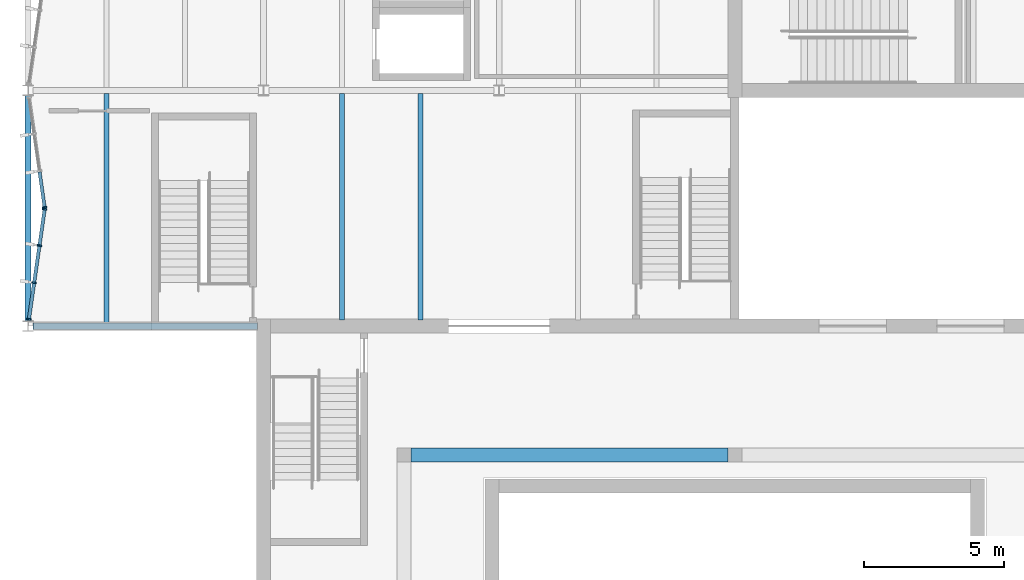
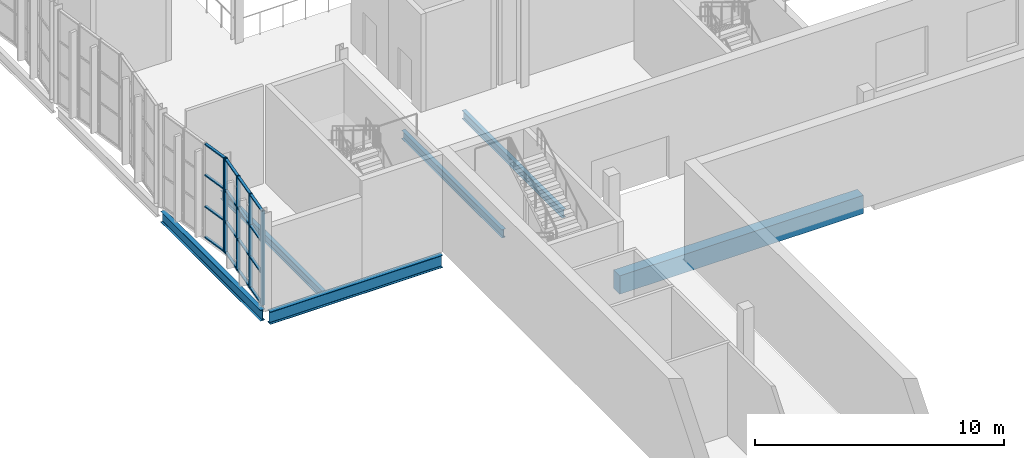
# One storey, part 17 of 127: 21 members, 6 beams, 2 elements without a shape of their own.
"""IFC4 building model written with IfcOpenShell, lengths in metres."""

from ifc_helpers import new_model, si_unit, direction, frame, origin, origin_2d, place, context, subcontext, project, spatial, rectangle, i_section, extrude, material, material_profile, profile_set, type_object, element, aggregate, save


model = new_model("IFC4")

# Units and contexts
model_context = context("Model", 3, precision=1e-05, world=origin(), true_north=direction((0.0, 1.0)))
body_context = subcontext(model_context, "Body", "Model", "MODEL_VIEW")
ifc_project = project(units=[si_unit("LENGTHUNIT", "METRE"), si_unit("AREAUNIT", "SQUARE_METRE"), si_unit("VOLUMEUNIT", "CUBIC_METRE"), si_unit("PLANEANGLEUNIT", "RADIAN"), si_unit("MASSUNIT", "GRAM", prefix="KILO")], contexts=[model_context])

# Site, building, storey
site_placement = place(None, origin())
site = spatial("IfcSite", under=ifc_project, at=site_placement, CompositionType="ELEMENT")
building_placement = place(site_placement, origin())
building = spatial("IfcBuilding", under=site, at=building_placement, Name="Ljudholm Concert House", CompositionType="ELEMENT")
storey_placement = place(building_placement, frame((0.0, 0.0, 5.39990234375)))
storey = spatial("IfcBuildingStorey", under=building, at=storey_placement, Name="L01", CompositionType="ELEMENT", Elevation=5.39990234375)

# Curtain wall, members
ifc_material_1 = material(Name="Aluminium curtain wall with impact-rated laminated glass", Category="aluminium")
curtain_wall_type = type_object("IfcCurtainWallType", Name="CURTAIN WALL 1400", PredefinedType="NOTDEFINED", material=ifc_material_1)
curtain_wall_1_placement = place(storey_placement, origin())
curtain_wall_1 = element("IfcCurtainWall", 1, at=curtain_wall_1_placement, inside=storey, type_object=curtain_wall_type, Name="Facade curtain wall", PredefinedType="NOTDEFINED")
ifc_material_2 = material(Name="Aluminium extrusion", Category="aluminium")
ifc_material_profile_1 = material_profile(ifc_material_2, rectangle(XDim=0.159912109375, YDim=0.06005859375, at=origin_2d()), Name="MULLION 60x160")
ifc_profile_set_1 = profile_set([ifc_material_profile_1], Name="Aluminium extrusion")
member_type_1 = type_object("IfcMemberType", Name="MULLION 60x160", PredefinedType="MULLION", material=ifc_profile_set_1)
member_1_placement = place(storey_placement, frame((4.035400390625, 46.24755859375, 0.0), z_axis=(0.0, 0.0, 1.0), x_axis=(-0.989949493647, 0.141421356338, 0.0)))
member_1 = element("IfcMember", 2, at=member_1_placement, type_object=member_type_1, Name="Mullion", PredefinedType="MULLION", context=body_context, shape_type="SweptSolid", body=[
    extrude(rectangle(XDim=0.159912109375, YDim=0.06005859375, at=origin_2d()), origin(), (0.0, 0.0, 1.0), 4.6201171875),
])
member_2_placement = place(storey_placement, frame((4.220703125, 47.545166015625, 0.0), z_axis=(0.0, 0.0, 1.0), x_axis=(-0.989949493647, 0.141421356338, 0.0)))
member_2 = element("IfcMember", 3, at=member_2_placement, type_object=member_type_1, Name="Mullion", PredefinedType="MULLION", context=body_context, shape_type="SweptSolid", body=[
    extrude(rectangle(XDim=0.159912109375, YDim=0.06005859375, at=origin_2d()), origin(), (0.0, 0.0, 1.0), 4.6201171875),
])
member_3_placement = place(storey_placement, frame((4.410400390625, 48.87255859375, 0.0), z_axis=(0.0, 0.0, 1.0), x_axis=(-0.989949493647, 0.141421356338, 0.0)))
member_3 = element("IfcMember", 4, at=member_3_placement, type_object=member_type_1, Name="Mullion", PredefinedType="MULLION", context=body_context, shape_type="SweptSolid", body=[
    extrude(rectangle(XDim=0.159912109375, YDim=0.06005859375, at=origin_2d()), origin(), (0.0, 0.0, 1.0), 4.6201171875),
])
member_4_placement = place(storey_placement, frame((4.595703125, 50.17041015625, 0.0), z_axis=(0.0, 0.0, 1.0), x_axis=(-0.989949493647, 0.141421356338, 0.0)))
member_4 = element("IfcMember", 5, at=member_4_placement, type_object=member_type_1, Name="Mullion", PredefinedType="MULLION", context=body_context, shape_type="SweptSolid", body=[
    extrude(rectangle(XDim=0.159912109375, YDim=0.06005859375, at=origin_2d()), origin(), (0.0, 0.0, 1.0), 4.6201171875),
])

# Curtain wall, member
curtain_wall_2_placement = place(storey_placement, origin())
curtain_wall_2 = element("IfcCurtainWall", 6, at=curtain_wall_2_placement, inside=storey, type_object=curtain_wall_type, Name="Facade curtain wall", PredefinedType="NOTDEFINED")
member_5_placement = place(storey_placement, frame((4.595703125, 50.229736328125, 0.0), z_axis=(0.0, 0.0, 1.0), x_axis=(-0.989949493647, -0.141421356338, 0.0)))
member_5 = element("IfcMember", 7, at=member_5_placement, type_object=member_type_1, Name="Mullion", PredefinedType="MULLION", context=body_context, shape_type="SweptSolid", body=[
    extrude(rectangle(XDim=0.159912109375, YDim=0.06005859375, at=origin_2d()), origin(), (0.0, 0.0, 1.0), 4.6201171875),
])

# Beams
ifc_material_3 = material(Name="Concrete 6,500 psi", Category="concrete")
ifc_material_profile_2 = material_profile(ifc_material_3, rectangle(XDim=0.5, YDim=0.89990234375, at=origin_2d()), Name="RC BEAM 500x900")
ifc_profile_set_2 = profile_set([ifc_material_profile_2], Name="Concrete 6,500 psi")
beam_type_1 = type_object("IfcBeamType", Name="RC BEAM 500x900", PredefinedType="BEAM", material=ifc_profile_set_2)
beam_1_placement = place(storey_placement, frame((17.64990234375, 41.39990234375, -0.699951171875), z_axis=(1.0, 0.0, 0.0), x_axis=(0.0, 1.0, 0.0)))
element("IfcBeam", 8, at=beam_1_placement, inside=storey, type_object=beam_type_1, Name="Ring beam", PredefinedType="BEAM", context=body_context, shape_type="SweptSolid", body=[
    extrude(rectangle(XDim=0.5, YDim=0.89990234375, at=origin_2d()), origin(), (0.0, 0.0, 1.0), 11.300048828125),
])
ifc_material_4 = material(Name="Steel ASTM A992", Category="steel")
ifc_material_profile_3 = material_profile(ifc_material_4, i_section(OverallWidth=0.177734375, OverallDepth=0.406494140625, WebThickness=0.0078125, FlangeThickness=0.012939453125, FilletRadius=0.01025390625, at=origin_2d()), Name="W16X40")
ifc_profile_set_3 = profile_set([ifc_material_profile_3], Name="Steel ASTM A992")
beam_type_2 = type_object("IfcBeamType", Name="STEEL BEAM W16X40", PredefinedType="BEAM", material=ifc_profile_set_3)
beam_2_placement = place(storey_placement, frame((6.800048828125, 46.114501953125, -0.383056640625), z_axis=(0.0, 1.0, 0.0), x_axis=(-1.0, 0.0, 0.0)))
element("IfcBeam", 9, at=beam_2_placement, inside=storey, type_object=beam_type_2, Name="Secondary beam", PredefinedType="BEAM", context=body_context, shape_type="SweptSolid", body=[
    extrude(i_section(OverallWidth=0.177734375, OverallDepth=0.406494140625, WebThickness=0.0078125, FlangeThickness=0.012939453125, FilletRadius=0.01025390625, at=origin_2d()), origin(), (0.0, 0.0, 1.0), 8.1708984375),
])
for number, where, z_axis, x_axis, name in (
    (10, (15.199951171875, 46.22509765625, -0.383056640625), (0.0, 1.0, 0.0), (-1.0, 0.0, 0.0), "Secondary beam"),
    (11, (18.0, 46.22509765625, -0.383056640625), (0.0, 1.0, 0.0), (-1.0, 0.0, 0.0), "Secondary beam"),
):
    element("IfcBeam", number, at=place(storey_placement, frame(where, z_axis=z_axis, x_axis=x_axis)), inside=storey, type_object=beam_type_2, Name=name, PredefinedType="BEAM", context=body_context, shape_type="SweptSolid", body=[
        extrude(i_section(OverallWidth=0.177734375, OverallDepth=0.406494140625, WebThickness=0.0078125, FlangeThickness=0.012939453125, FilletRadius=0.01025390625, at=origin_2d()), origin(), (0.0, 0.0, 1.0), 8.060302734375),
    ])
ifc_material_5 = material(Name="Steel ASTM A992", Category="steel")
ifc_material_profile_4 = material_profile(ifc_material_5, i_section(OverallWidth=0.209228515625, OverallDepth=0.533447265625, WebThickness=0.01025390625, FlangeThickness=0.015625, FilletRadius=0.012939453125, at=origin_2d()), Name="W21X62")
ifc_profile_set_4 = profile_set([ifc_material_profile_4], Name="Steel ASTM A992")
beam_type_3 = type_object("IfcBeamType", Name="STEEL BEAM W21X62", PredefinedType="BEAM", material=ifc_profile_set_4)
beam_3_placement = place(storey_placement, frame((4.0, 46.186767578125, -0.446533203125), z_axis=(0.0, 1.0, 0.0), x_axis=(-1.0, 0.0, 0.0)))
element("IfcBeam", 12, at=beam_3_placement, inside=storey, type_object=beam_type_3, Name="Floor edge beam", PredefinedType="BEAM", context=body_context, shape_type="SweptSolid", body=[
    extrude(i_section(OverallWidth=0.209228515625, OverallDepth=0.533447265625, WebThickness=0.01025390625, FlangeThickness=0.015625, FilletRadius=0.012939453125, at=origin_2d()), origin(), (0.0, 0.0, 1.0), 8.026611328125),
])
ifc_material_6 = material(Name="Steel ASTM A992", Category="steel")
ifc_material_profile_5 = material_profile(ifc_material_6, i_section(OverallWidth=0.22900390625, OverallDepth=0.612060546875, WebThickness=0.011962890625, FlangeThickness=0.01953125, FilletRadius=0.0126953125, at=origin_2d()), Name="W24X84")
ifc_profile_set_5 = profile_set([ifc_material_profile_5], Name="Steel ASTM A992")
beam_type_4 = type_object("IfcBeamType", Name="STEEL BEAM W24X84", PredefinedType="BEAM", material=ifc_profile_set_5)
beam_4_placement = place(storey_placement, frame((4.186767578125, 46.0, -0.486083984375), z_axis=(1.0, 0.0, 0.0), x_axis=(0.0, 1.0, 0.0)))
element("IfcBeam", 13, at=beam_4_placement, inside=storey, type_object=beam_type_4, Name="Floor girder", PredefinedType="BEAM", context=body_context, shape_type="SweptSolid", body=[
    extrude(i_section(OverallWidth=0.22900390625, OverallDepth=0.612060546875, WebThickness=0.011962890625, FlangeThickness=0.01953125, FilletRadius=0.0126953125, at=origin_2d()), origin(), (0.0, 0.0, 1.0), 7.98828125),
])

# Member
ifc_material_7 = material(Name="Aluminium extrusion", Category="aluminium")
ifc_material_profile_6 = material_profile(ifc_material_7, rectangle(XDim=0.1201171875, YDim=0.06005859375, at=origin_2d()), Name="TRANSOM 60x120")
ifc_profile_set_6 = profile_set([ifc_material_profile_6], Name="Aluminium extrusion")
member_type_2 = type_object("IfcMemberType", Name="TRANSOM 60x120", PredefinedType="USERDEFINED", material=ifc_profile_set_6)
member_6_placement = place(storey_placement, frame((4.03955078125, 46.277099609375, 0.030029296875), z_axis=(0.141503330095, 0.989937779647, 0.0), x_axis=(-0.989937779647, 0.141503330095, 0.0)))
member_6 = element("IfcMember", 14, at=member_6_placement, type_object=member_type_2, Name="Transom", ObjectType="TRANSOM", PredefinedType="USERDEFINED", context=body_context, shape_type="SweptSolid", body=[
    extrude(rectangle(XDim=0.1201171875, YDim=0.06005859375, at=origin_2d()), origin(), (0.0, 0.0, 1.0), 1.2509765625),
])

member_7_placement = place(storey_placement, frame((4.03955078125, 46.277099609375, 1.5400390625), z_axis=(0.141503330095, 0.989937779647, 0.0), x_axis=(-0.989937779647, 0.141503330095, 0.0)))
member_7 = element("IfcMember", 15, at=member_7_placement, type_object=member_type_2, Name="Transom", ObjectType="TRANSOM", PredefinedType="USERDEFINED", context=body_context, shape_type="SweptSolid", body=[
    extrude(rectangle(XDim=0.1201171875, YDim=0.06005859375, at=origin_2d()), origin(), (0.0, 0.0, 1.0), 1.2509765625),
])

member_8_placement = place(storey_placement, frame((4.03955078125, 46.277099609375, 3.080078125), z_axis=(0.141503330095, 0.989937779647, 0.0), x_axis=(-0.989937779647, 0.141503330095, 0.0)))
member_8 = element("IfcMember", 16, at=member_8_placement, type_object=member_type_2, Name="Transom", ObjectType="TRANSOM", PredefinedType="USERDEFINED", context=body_context, shape_type="SweptSolid", body=[
    extrude(rectangle(XDim=0.1201171875, YDim=0.06005859375, at=origin_2d()), origin(), (0.0, 0.0, 1.0), 1.2509765625),
])

member_9_placement = place(storey_placement, frame((4.03955078125, 46.277099609375, 4.590087890625), z_axis=(0.141503330095, 0.989937779647, 0.0), x_axis=(-0.989937779647, 0.141503330095, 0.0)))
member_9 = element("IfcMember", 17, at=member_9_placement, type_object=member_type_2, Name="Transom", ObjectType="TRANSOM", PredefinedType="USERDEFINED", context=body_context, shape_type="SweptSolid", body=[
    extrude(rectangle(XDim=0.1201171875, YDim=0.06005859375, at=origin_2d()), origin(), (0.0, 0.0, 1.0), 1.2509765625),
])

member_10_placement = place(storey_placement, frame((4.22509765625, 47.574951171875, 0.030029296875), z_axis=(0.141421356237, 0.989949493661, 0.0), x_axis=(-0.989949493661, 0.141421356237, 0.0)))
member_10 = element("IfcMember", 18, at=member_10_placement, type_object=member_type_2, Name="Transom", ObjectType="TRANSOM", PredefinedType="USERDEFINED", context=body_context, shape_type="SweptSolid", body=[
    extrude(rectangle(XDim=0.1201171875, YDim=0.06005859375, at=origin_2d()), origin(), (0.0, 0.0, 1.0), 1.281005859375),
])

member_11_placement = place(storey_placement, frame((4.22509765625, 47.574951171875, 1.5400390625), z_axis=(0.141421356237, 0.989949493661, 0.0), x_axis=(-0.989949493661, 0.141421356237, 0.0)))
member_11 = element("IfcMember", 19, at=member_11_placement, type_object=member_type_2, Name="Transom", ObjectType="TRANSOM", PredefinedType="USERDEFINED", context=body_context, shape_type="SweptSolid", body=[
    extrude(rectangle(XDim=0.1201171875, YDim=0.06005859375, at=origin_2d()), origin(), (0.0, 0.0, 1.0), 1.281005859375),
])

member_12_placement = place(storey_placement, frame((4.22509765625, 47.574951171875, 3.080078125), z_axis=(0.141421356237, 0.989949493661, 0.0), x_axis=(-0.989949493661, 0.141421356237, 0.0)))
member_12 = element("IfcMember", 20, at=member_12_placement, type_object=member_type_2, Name="Transom", ObjectType="TRANSOM", PredefinedType="USERDEFINED", context=body_context, shape_type="SweptSolid", body=[
    extrude(rectangle(XDim=0.1201171875, YDim=0.06005859375, at=origin_2d()), origin(), (0.0, 0.0, 1.0), 1.281005859375),
])

member_13_placement = place(storey_placement, frame((4.22509765625, 47.574951171875, 4.590087890625), z_axis=(0.141421356237, 0.989949493661, 0.0), x_axis=(-0.989949493661, 0.141421356237, 0.0)))
member_13 = element("IfcMember", 21, at=member_13_placement, type_object=member_type_2, Name="Transom", ObjectType="TRANSOM", PredefinedType="USERDEFINED", context=body_context, shape_type="SweptSolid", body=[
    extrude(rectangle(XDim=0.1201171875, YDim=0.06005859375, at=origin_2d()), origin(), (0.0, 0.0, 1.0), 1.281005859375),
])

member_14_placement = place(storey_placement, frame((4.41455078125, 48.90234375, 0.030029296875), z_axis=(0.141503330095, 0.989937779647, 0.0), x_axis=(-0.989937779647, 0.141503330095, 0.0)))
member_14 = element("IfcMember", 22, at=member_14_placement, type_object=member_type_2, Name="Transom", ObjectType="TRANSOM", PredefinedType="USERDEFINED", context=body_context, shape_type="SweptSolid", body=[
    extrude(rectangle(XDim=0.1201171875, YDim=0.06005859375, at=origin_2d()), origin(), (0.0, 0.0, 1.0), 1.2509765625),
])

member_15_placement = place(storey_placement, frame((4.41455078125, 48.90234375, 1.5400390625), z_axis=(0.141503330095, 0.989937779647, 0.0), x_axis=(-0.989937779647, 0.141503330095, 0.0)))
member_15 = element("IfcMember", 23, at=member_15_placement, type_object=member_type_2, Name="Transom", ObjectType="TRANSOM", PredefinedType="USERDEFINED", context=body_context, shape_type="SweptSolid", body=[
    extrude(rectangle(XDim=0.1201171875, YDim=0.06005859375, at=origin_2d()), origin(), (0.0, 0.0, 1.0), 1.2509765625),
])

member_16_placement = place(storey_placement, frame((4.41455078125, 48.90234375, 3.080078125), z_axis=(0.141503330095, 0.989937779647, 0.0), x_axis=(-0.989937779647, 0.141503330095, 0.0)))
member_16 = element("IfcMember", 24, at=member_16_placement, type_object=member_type_2, Name="Transom", ObjectType="TRANSOM", PredefinedType="USERDEFINED", context=body_context, shape_type="SweptSolid", body=[
    extrude(rectangle(XDim=0.1201171875, YDim=0.06005859375, at=origin_2d()), origin(), (0.0, 0.0, 1.0), 1.2509765625),
])

member_17_placement = place(storey_placement, frame((4.41455078125, 48.90234375, 4.590087890625), z_axis=(0.141503330095, 0.989937779647, 0.0), x_axis=(-0.989937779647, 0.141503330095, 0.0)))
member_17 = element("IfcMember", 25, at=member_17_placement, type_object=member_type_2, Name="Transom", ObjectType="TRANSOM", PredefinedType="USERDEFINED", context=body_context, shape_type="SweptSolid", body=[
    extrude(rectangle(XDim=0.1201171875, YDim=0.06005859375, at=origin_2d()), origin(), (0.0, 0.0, 1.0), 1.2509765625),
])

aggregate(curtain_wall_1, [member_1, member_2, member_3, member_4, member_6, member_7, member_8, member_9, member_10, member_11, member_12, member_13, member_14, member_15, member_16, member_17])

member_18_placement = place(storey_placement, frame((4.591552734375, 50.25927734375, 0.030029296875), z_axis=(-0.141475995027, 0.989941686581, 0.0), x_axis=(-0.989941686581, -0.141475995027, 0.0)))
member_18 = element("IfcMember", 26, at=member_18_placement, type_object=member_type_2, Name="Transom", ObjectType="TRANSOM", PredefinedType="USERDEFINED", context=body_context, shape_type="SweptSolid", body=[
    extrude(rectangle(XDim=0.1201171875, YDim=0.06005859375, at=origin_2d()), origin(), (0.0, 0.0, 1.0), 1.251220703125),
])

member_19_placement = place(storey_placement, frame((4.591552734375, 50.25927734375, 1.5400390625), z_axis=(-0.141475995027, 0.989941686581, 0.0), x_axis=(-0.989941686581, -0.141475995027, 0.0)))
member_19 = element("IfcMember", 27, at=member_19_placement, type_object=member_type_2, Name="Transom", ObjectType="TRANSOM", PredefinedType="USERDEFINED", context=body_context, shape_type="SweptSolid", body=[
    extrude(rectangle(XDim=0.1201171875, YDim=0.06005859375, at=origin_2d()), origin(), (0.0, 0.0, 1.0), 1.251220703125),
])

member_20_placement = place(storey_placement, frame((4.591552734375, 50.25927734375, 3.080078125), z_axis=(-0.141475995027, 0.989941686581, 0.0), x_axis=(-0.989941686581, -0.141475995027, 0.0)))
member_20 = element("IfcMember", 28, at=member_20_placement, type_object=member_type_2, Name="Transom", ObjectType="TRANSOM", PredefinedType="USERDEFINED", context=body_context, shape_type="SweptSolid", body=[
    extrude(rectangle(XDim=0.1201171875, YDim=0.06005859375, at=origin_2d()), origin(), (0.0, 0.0, 1.0), 1.251220703125),
])

member_21_placement = place(storey_placement, frame((4.591552734375, 50.25927734375, 4.590087890625), z_axis=(-0.141475995027, 0.989941686581, 0.0), x_axis=(-0.989941686581, -0.141475995027, 0.0)))
member_21 = element("IfcMember", 29, at=member_21_placement, type_object=member_type_2, Name="Transom", ObjectType="TRANSOM", PredefinedType="USERDEFINED", context=body_context, shape_type="SweptSolid", body=[
    extrude(rectangle(XDim=0.1201171875, YDim=0.06005859375, at=origin_2d()), origin(), (0.0, 0.0, 1.0), 1.251220703125),
])

aggregate(curtain_wall_2, [member_5, member_18, member_19, member_20, member_21])

save(model, "model.ifc")
